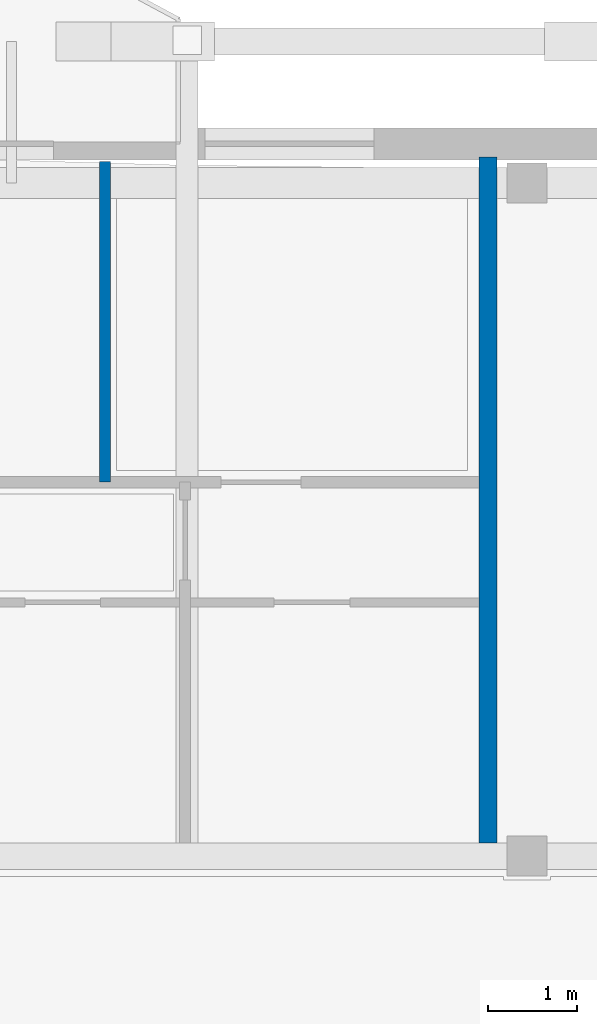
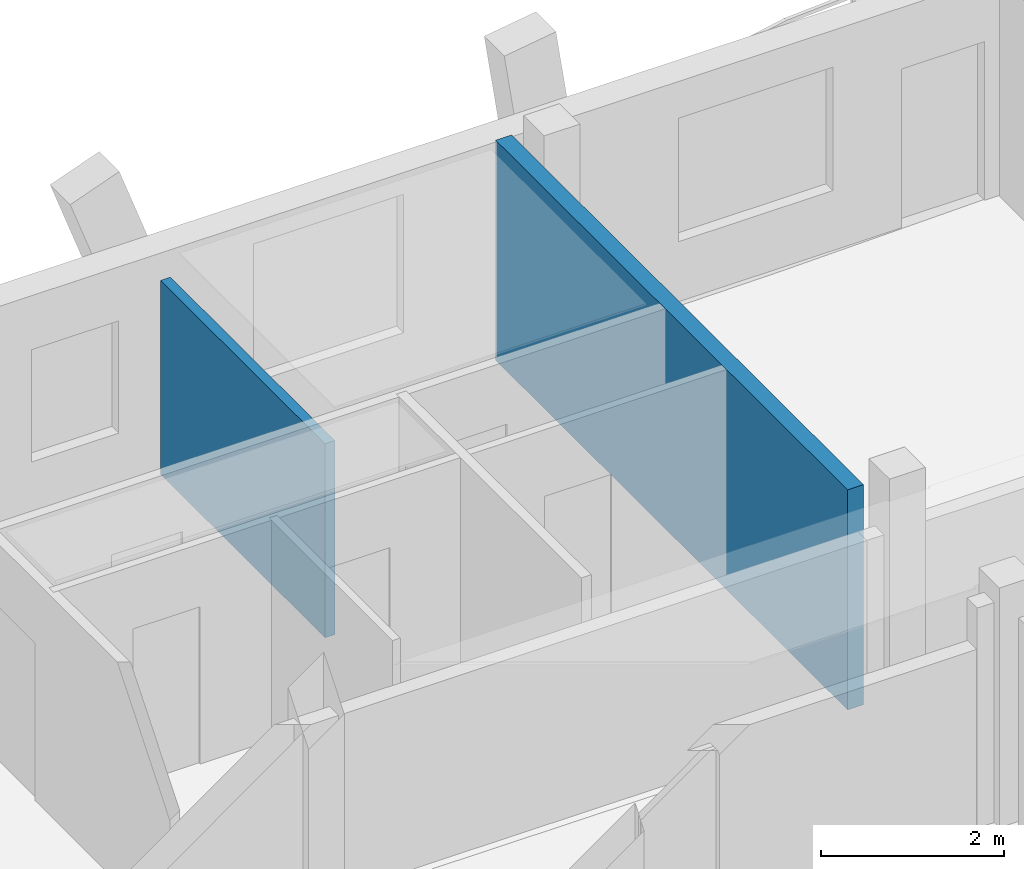
# One storey, part 30 of 52: 2 walls.
"""IFC4 building model written with IfcOpenShell, lengths in metres."""

from ifc_helpers import new_model, si_unit, direction, frame, frame_2d, origin, place, context, subcontext, project, spatial, rectangle, extrude, material, layer, layer_set, type_object, element, save


model = new_model("IFC4")

# Units and contexts
model_context = context("Model", 3, precision=1e-05, world=origin(), true_north=direction((0.0, 1.0)))
body_context = subcontext(model_context, "Body", "Model", "MODEL_VIEW")
ifc_project = project(units=[si_unit("LENGTHUNIT", "METRE"), si_unit("AREAUNIT", "SQUARE_METRE"), si_unit("VOLUMEUNIT", "CUBIC_METRE"), si_unit("PLANEANGLEUNIT", "RADIAN"), si_unit("MASSUNIT", "GRAM", prefix="KILO")], contexts=[model_context])

# Site, building, storey
site_placement = place(None, origin())
site = spatial("IfcSite", under=ifc_project, at=site_placement, CompositionType="ELEMENT")
building_placement = place(site_placement, origin())
building = spatial("IfcBuilding", under=site, at=building_placement, Name="Zavelmont Quarter", CompositionType="ELEMENT")
storey_placement = place(building_placement, frame((0.0, 0.0, 14.39990234375)))
storey = spatial("IfcBuildingStorey", under=building, at=storey_placement, Name="L04", CompositionType="ELEMENT", Elevation=14.39990234375)

# Walls
ifc_material_1 = material(Name="Calcium-silicate blockwork and acoustic plaster", Category="masonry")
ifc_layer_1 = layer(ifc_material_1, 0.199951171875)
ifc_layer_set_1 = layer_set([ifc_layer_1], Name="Calcium-silicate blockwork and acoustic plaster")
wall_type_1 = type_object("IfcWallType", Name="IW01", PredefinedType="PARTITIONING", material=ifc_layer_set_1)
wall_1_placement = place(storey_placement, frame((126.60009765625, 108.14990234375, 0.0), z_axis=(0.0, 0.0, 1.0), x_axis=(0.0, 1.0, 0.0)))
element("IfcWall", 1, at=wall_1_placement, inside=storey, type_object=wall_type_1, Name="L04 Inter-dwelling compartment wall IW01", PredefinedType="PARTITIONING", context=body_context, shape_type="SweptSolid", body=[
    extrude(rectangle(XDim=7.7001953125, YDim=0.199951171875, at=frame_2d((3.85009765625, 0.0))), origin(), (0.0, 0.0, 1.0), 2.940185546875),
])
ifc_material_2 = material(Name="Double gypsum board on acoustic steel stud", Category="steel")
ifc_layer_2 = layer(ifc_material_2, 0.125)
ifc_layer_set_2 = layer_set([ifc_layer_2], Name="Double gypsum board on acoustic steel stud")
wall_type_2 = type_object("IfcWallType", Name="IW03", PredefinedType="PARTITIONING", material=ifc_layer_set_2)
wall_2_placement = place(storey_placement, frame((122.300048828125, 112.199951171875, 0.0), z_axis=(0.0, 0.0, 1.0), x_axis=(0.0, 1.0, 0.0)))
element("IfcWall", 2, at=wall_2_placement, inside=storey, type_object=wall_type_2, Name="L04 Partition IW03", PredefinedType="PARTITIONING", context=body_context, shape_type="SweptSolid", body=[
    extrude(rectangle(XDim=3.60009765625, YDim=0.125, at=frame_2d((1.800048828125, 0.0))), origin(), (0.0, 0.0, 1.0), 2.590087890625),
])

save(model, "model.ifc")
